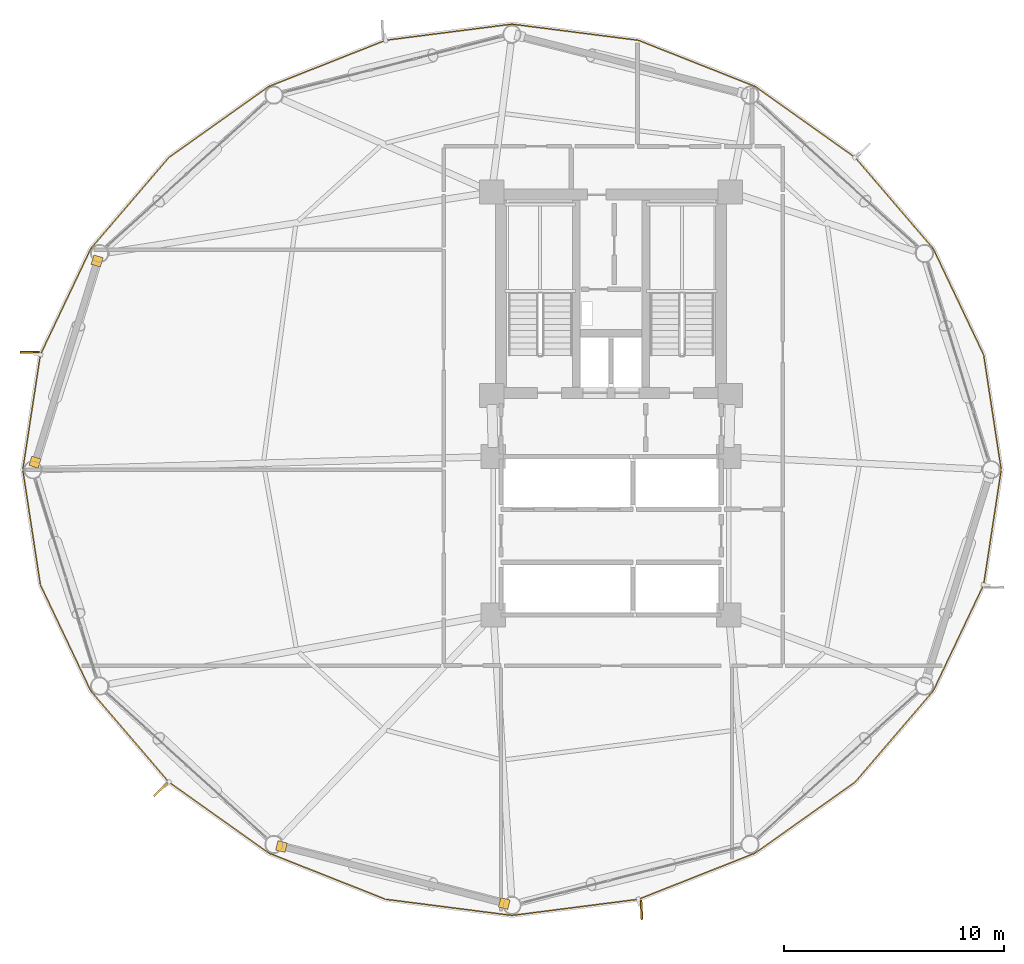
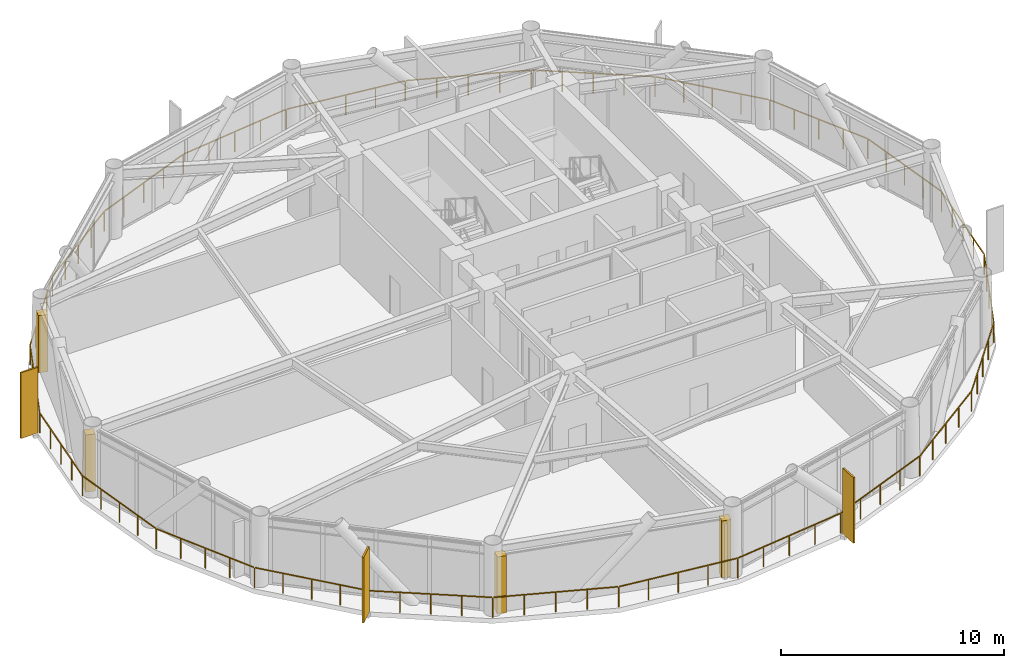
# One storey, part 23 of 25: 4 coverings, 3 shading devices, 1 railing.
"""IFC4 building model written with IfcOpenShell, lengths in metres."""

from ifc_helpers import new_model, si_unit, direction, frame, origin, origin_2d, place, context, subcontext, project, spatial, rectangle, extrude, source, transform, mapped, material, layer, layer_set, type_object, type_shapes, element, save


model = new_model("IFC4")

# Units and contexts
model_context = context("Model", 3, precision=1e-05, world=origin(), true_north=direction((0.0, 1.0)))
body_context = subcontext(model_context, "Body", "Model", "MODEL_VIEW")
ifc_project = project(units=[si_unit("LENGTHUNIT", "METRE"), si_unit("AREAUNIT", "SQUARE_METRE"), si_unit("VOLUMEUNIT", "CUBIC_METRE"), si_unit("PLANEANGLEUNIT", "RADIAN"), si_unit("MASSUNIT", "GRAM", prefix="KILO")], contexts=[model_context])

# Site, building, storey
site_placement = place(None, origin())
site = spatial("IfcSite", under=ifc_project, at=site_placement, CompositionType="ELEMENT")
building_placement = place(site_placement, origin())
building = spatial("IfcBuilding", under=site, at=building_placement, Name="Varnakorn Sky Granary", CompositionType="ELEMENT")
storey_placement = place(building_placement, frame((0.0, 0.0, 91.5)))
storey = spatial("IfcBuildingStorey", under=building, at=storey_placement, Name="L22", CompositionType="ELEMENT", Elevation=91.5)

# Railing
ifc_material = material(Name="Anodised Bronze Aluminium Alloy 6063-T6", Category="aluminium")
railing_type = type_object("IfcRailingType", Name="RL-BAL-1120", PredefinedType="BALUSTRADE", material=ifc_material)
railing_placement = place(storey_placement, frame((20.731689453125, 0.0, 0.0)))
element("IfcRailing", 1, at=railing_placement, inside=storey, type_object=railing_type, Name="Perimeter Slab-Edge Safety Guard L22", PredefinedType="BALUSTRADE", context=body_context, shape_type="SweptSolid", body=[
    extrude(rectangle(XDim=0.048095703125, YDim=0.048095703125, at=origin_2d()), frame((-0.004150390625, -0.027587890625, 1.09619140625), z_axis=(-0.151272943229, -0.988492031656, 0.0), x_axis=(0.988492031656, -0.151272943229, 0.0)), (0.0, 0.0, 1.0), 5.231201171875),
    extrude(rectangle(XDim=0.048095703125, YDim=0.048095703125, at=origin_2d()), frame((-0.811767578125, -5.251708984375, 1.09619140625), z_axis=(-0.428975741231, -0.90331600973, 0.0), x_axis=(0.90331600973, -0.428975741231, 0.0)), (0.0, 0.0, 1.0), 5.2880859375),
    extrude(rectangle(XDim=0.048095703125, YDim=0.048095703125, at=origin_2d()), frame((-3.110595703125, -10.074951171875, 1.09619140625), z_axis=(-0.650558743383, -0.759455937766, 0.0), x_axis=(0.759455937766, -0.650558743383, 0.0)), (0.0, 0.0, 1.0), 5.3896484375),
    extrude(rectangle(XDim=0.048095703125, YDim=0.048095703125, at=origin_2d()), frame((-6.65771484375, -14.20556640625, 1.09619140625), z_axis=(-0.815124375979, -0.579285984368, 0.0), x_axis=(0.579285984368, -0.815124375979, 0.0)), (0.0, 0.0, 1.0), 5.520751953125),
    extrude(rectangle(XDim=0.048095703125, YDim=0.048095703125, at=origin_2d()), frame((-11.206787109375, -17.43017578125, 1.09619140625), z_axis=(-0.930002892218, -0.367552201009, 0.0), x_axis=(0.367552201009, -0.930002892218, 0.0)), (0.0, 0.0, 1.0), 5.651123046875),
    extrude(rectangle(XDim=0.048095703125, YDim=0.048095703125, at=origin_2d()), frame((-16.51611328125, -19.521240234375, 1.09619140625), z_axis=(-0.991940197997, -0.126706920084, 0.0), x_axis=(0.126706920084, -0.991940197997, 0.0)), (0.0, 0.0, 1.0), 5.734130859375),
    extrude(rectangle(XDim=0.048095703125, YDim=0.048095703125, at=origin_2d()), frame((-22.259521484375, -20.24755859375, 1.09619140625), z_axis=(-0.991940197997, 0.126706920084, 0.0), x_axis=(-0.126706920084, -0.991940197997, 0.0)), (0.0, 0.0, 1.0), 5.734130859375),
    extrude(rectangle(XDim=0.048095703125, YDim=0.048095703125, at=origin_2d()), frame((-28.001220703125, -19.50732421875, 1.09619140625), z_axis=(-0.930002892218, 0.367552201009, 0.0), x_axis=(-0.367552201009, -0.930002892218, 0.0)), (0.0, 0.0, 1.0), 5.651123046875),
    extrude(rectangle(XDim=0.048095703125, YDim=0.048095703125, at=origin_2d()), frame((-33.305419921875, -17.40380859375, 1.09619140625), z_axis=(-0.815124375979, 0.579285984368, 0.0), x_axis=(-0.579285984368, -0.815124375979, 0.0)), (0.0, 0.0, 1.0), 5.520751953125),
    extrude(rectangle(XDim=0.048095703125, YDim=0.048095703125, at=origin_2d()), frame((-37.8466796875, -14.168212890625, 1.09619140625), z_axis=(-0.650558743383, 0.759455937766, 0.0), x_axis=(-0.759455937766, -0.650558743383, 0.0)), (0.0, 0.0, 1.0), 5.3896484375),
    extrude(rectangle(XDim=0.048095703125, YDim=0.048095703125, at=origin_2d()), frame((-41.383056640625, -10.0283203125, 1.09619140625), z_axis=(-0.428975741231, 0.90331600973, 0.0), x_axis=(-0.90331600973, -0.428975741231, 0.0)), (0.0, 0.0, 1.0), 5.2880859375),
    extrude(rectangle(XDim=0.048095703125, YDim=0.048095703125, at=origin_2d()), frame((-43.667724609375, -5.19873046875, 1.09619140625), z_axis=(-0.151272943229, 0.988492031656, 0.0), x_axis=(-0.988492031656, -0.151272943229, 0.0)), (0.0, 0.0, 1.0), 5.231201171875),
    extrude(rectangle(XDim=0.048095703125, YDim=0.048095703125, at=origin_2d()), frame((-44.459228515625, 0.027587890625, 1.09619140625), z_axis=(0.151272943229, 0.988492031656, 0.0), x_axis=(-0.988492031656, 0.151272943229, 0.0)), (0.0, 0.0, 1.0), 5.231201171875),
    extrude(rectangle(XDim=0.048095703125, YDim=0.048095703125, at=origin_2d()), frame((-43.651611328125, 5.251708984375, 1.09619140625), z_axis=(0.428975741231, 0.90331600973, 0.0), x_axis=(-0.90331600973, 0.428975741231, 0.0)), (0.0, 0.0, 1.0), 5.2880859375),
    extrude(rectangle(XDim=0.048095703125, YDim=0.048095703125, at=origin_2d()), frame((-41.352783203125, 10.074951171875, 1.09619140625), z_axis=(0.650558743383, 0.759455937766, 0.0), x_axis=(-0.759455937766, 0.650558743383, 0.0)), (0.0, 0.0, 1.0), 5.3896484375),
    extrude(rectangle(XDim=0.048095703125, YDim=0.048095703125, at=origin_2d()), frame((-37.8056640625, 14.20556640625, 1.09619140625), z_axis=(0.815124375979, 0.579285984368, 0.0), x_axis=(-0.579285984368, 0.815124375979, 0.0)), (0.0, 0.0, 1.0), 5.520751953125),
    extrude(rectangle(XDim=0.048095703125, YDim=0.048095703125, at=origin_2d()), frame((-33.256591796875, 17.43017578125, 1.09619140625), z_axis=(0.930002892218, 0.367552201009, 0.0), x_axis=(-0.367552201009, 0.930002892218, 0.0)), (0.0, 0.0, 1.0), 5.651123046875),
    extrude(rectangle(XDim=0.048095703125, YDim=0.048095703125, at=origin_2d()), frame((-27.947265625, 19.521240234375, 1.09619140625), z_axis=(0.991940197997, 0.126706920084, 0.0), x_axis=(-0.126706920084, 0.991940197997, 0.0)), (0.0, 0.0, 1.0), 5.734130859375),
    extrude(rectangle(XDim=0.048095703125, YDim=0.048095703125, at=origin_2d()), frame((-22.203857421875, 20.24755859375, 1.09619140625), z_axis=(0.991940197997, -0.126706920084, 0.0), x_axis=(0.126706920084, 0.991940197997, 0.0)), (0.0, 0.0, 1.0), 5.734130859375),
    extrude(rectangle(XDim=0.048095703125, YDim=0.048095703125, at=origin_2d()), frame((-16.462158203125, 19.50732421875, 1.09619140625), z_axis=(0.930002892218, -0.367552201009, 0.0), x_axis=(0.367552201009, 0.930002892218, 0.0)), (0.0, 0.0, 1.0), 5.651123046875),
    extrude(rectangle(XDim=0.048095703125, YDim=0.048095703125, at=origin_2d()), frame((-11.157958984375, 17.40380859375, 1.09619140625), z_axis=(0.815124375979, -0.579285984368, 0.0), x_axis=(0.579285984368, 0.815124375979, 0.0)), (0.0, 0.0, 1.0), 5.520751953125),
    extrude(rectangle(XDim=0.048095703125, YDim=0.048095703125, at=origin_2d()), frame((-6.61669921875, 14.168212890625, 1.09619140625), z_axis=(0.650558743383, -0.759455937766, 0.0), x_axis=(0.759455937766, 0.650558743383, 0.0)), (0.0, 0.0, 1.0), 5.3896484375),
    extrude(rectangle(XDim=0.048095703125, YDim=0.048095703125, at=origin_2d()), frame((-3.080322265625, 10.0283203125, 1.09619140625), z_axis=(0.428975741231, -0.90331600973, 0.0), x_axis=(0.90331600973, 0.428975741231, 0.0)), (0.0, 0.0, 1.0), 5.2880859375),
    extrude(rectangle(XDim=0.048095703125, YDim=0.048095703125, at=origin_2d()), frame((-0.795654296875, 5.19873046875, 1.09619140625), z_axis=(0.151272943229, -0.988492031656, 0.0), x_axis=(0.988492031656, 0.151272943229, 0.0)), (0.0, 0.0, 1.0), 5.231201171875),
    extrude(rectangle(XDim=0.0419921875, YDim=0.0419921875, at=origin_2d()), origin(), (0.0, 0.0, 1.0), 1.068115234375),
    extrude(rectangle(XDim=0.0419921875, YDim=0.0419921875, at=origin_2d()), frame((-0.199951171875, -1.306640625, 0.0)), (0.0, 0.0, 1.0), 1.068115234375),
    extrude(rectangle(XDim=0.0419921875, YDim=0.0419921875, at=origin_2d()), frame((-0.39990234375, -2.61328125, 0.0)), (0.0, 0.0, 1.0), 1.068115234375),
    extrude(rectangle(XDim=0.0419921875, YDim=0.0419921875, at=origin_2d()), frame((-0.599853515625, -3.919677734375, 0.0)), (0.0, 0.0, 1.0), 1.068115234375),
    extrude(rectangle(XDim=0.0419921875, YDim=0.0419921875, at=origin_2d()), frame((-0.7998046875, -5.226318359375, 0.0)), (0.0, 0.0, 1.0), 1.068115234375),
    extrude(rectangle(XDim=0.0419921875, YDim=0.0419921875, at=origin_2d()), frame((-1.373046875, -6.43310546875, 0.0)), (0.0, 0.0, 1.0), 1.068115234375),
    extrude(rectangle(XDim=0.0419921875, YDim=0.0419921875, at=origin_2d()), frame((-1.946044921875, -7.64013671875, 0.0)), (0.0, 0.0, 1.0), 1.068115234375),
    extrude(rectangle(XDim=0.0419921875, YDim=0.0419921875, at=origin_2d()), frame((-2.51904296875, -8.846923828125, 0.0)), (0.0, 0.0, 1.0), 1.068115234375),
    extrude(rectangle(XDim=0.0419921875, YDim=0.0419921875, at=origin_2d()), frame((-3.09228515625, -10.0537109375, 0.0)), (0.0, 0.0, 1.0), 1.068115234375),
    extrude(rectangle(XDim=0.0419921875, YDim=0.0419921875, at=origin_2d()), frame((-3.97802734375, -11.087646484375, 0.0)), (0.0, 0.0, 1.0), 1.068115234375),
    extrude(rectangle(XDim=0.0419921875, YDim=0.0419921875, at=origin_2d()), frame((-4.86376953125, -12.12158203125, 0.0)), (0.0, 0.0, 1.0), 1.068115234375),
    extrude(rectangle(XDim=0.0419921875, YDim=0.0419921875, at=origin_2d()), frame((-5.749267578125, -13.155517578125, 0.0)), (0.0, 0.0, 1.0), 1.068115234375),
    extrude(rectangle(XDim=0.0419921875, YDim=0.0419921875, at=origin_2d()), frame((-6.635009765625, -14.189453125, 0.0)), (0.0, 0.0, 1.0), 1.068115234375),
    extrude(rectangle(XDim=0.0419921875, YDim=0.0419921875, at=origin_2d()), frame((-7.771484375, -14.9970703125, 0.0)), (0.0, 0.0, 1.0), 1.068115234375),
    extrude(rectangle(XDim=0.0419921875, YDim=0.0419921875, at=origin_2d()), frame((-8.90771484375, -15.8046875, 0.0)), (0.0, 0.0, 1.0), 1.068115234375),
    extrude(rectangle(XDim=0.0419921875, YDim=0.0419921875, at=origin_2d()), frame((-10.044189453125, -16.6123046875, 0.0)), (0.0, 0.0, 1.0), 1.068115234375),
    extrude(rectangle(XDim=0.0419921875, YDim=0.0419921875, at=origin_2d()), frame((-11.1806640625, -17.419921875, 0.0)), (0.0, 0.0, 1.0), 1.068115234375),
    extrude(rectangle(XDim=0.0419921875, YDim=0.0419921875, at=origin_2d()), frame((-12.507568359375, -17.9443359375, 0.0)), (0.0, 0.0, 1.0), 1.068115234375),
    extrude(rectangle(XDim=0.0419921875, YDim=0.0419921875, at=origin_2d()), frame((-13.83447265625, -18.46875, 0.0)), (0.0, 0.0, 1.0), 1.068115234375),
    extrude(rectangle(XDim=0.0419921875, YDim=0.0419921875, at=origin_2d()), frame((-15.161376953125, -18.9931640625, 0.0)), (0.0, 0.0, 1.0), 1.068115234375),
    extrude(rectangle(XDim=0.0419921875, YDim=0.0419921875, at=origin_2d()), frame((-16.48828125, -19.517578125, 0.0)), (0.0, 0.0, 1.0), 1.068115234375),
    extrude(rectangle(XDim=0.0419921875, YDim=0.0419921875, at=origin_2d()), frame((-17.924072265625, -19.700927734375, 0.0)), (0.0, 0.0, 1.0), 1.068115234375),
    extrude(rectangle(XDim=0.0419921875, YDim=0.0419921875, at=origin_2d()), frame((-19.35986328125, -19.88427734375, 0.0)), (0.0, 0.0, 1.0), 1.068115234375),
    extrude(rectangle(XDim=0.0419921875, YDim=0.0419921875, at=origin_2d()), frame((-20.7958984375, -20.06787109375, 0.0)), (0.0, 0.0, 1.0), 1.068115234375),
    extrude(rectangle(XDim=0.0419921875, YDim=0.0419921875, at=origin_2d()), frame((-22.231689453125, -20.251220703125, 0.0)), (0.0, 0.0, 1.0), 1.068115234375),
    extrude(rectangle(XDim=0.0419921875, YDim=0.0419921875, at=origin_2d()), frame((-23.66748046875, -20.06787109375, 0.0)), (0.0, 0.0, 1.0), 1.068115234375),
    extrude(rectangle(XDim=0.0419921875, YDim=0.0419921875, at=origin_2d()), frame((-25.103515625, -19.88427734375, 0.0)), (0.0, 0.0, 1.0), 1.068115234375),
    extrude(rectangle(XDim=0.0419921875, YDim=0.0419921875, at=origin_2d()), frame((-26.539306640625, -19.700927734375, 0.0)), (0.0, 0.0, 1.0), 1.068115234375),
    extrude(rectangle(XDim=0.0419921875, YDim=0.0419921875, at=origin_2d()), frame((-27.97509765625, -19.517578125, 0.0)), (0.0, 0.0, 1.0), 1.068115234375),
    extrude(rectangle(XDim=0.0419921875, YDim=0.0419921875, at=origin_2d()), frame((-29.302001953125, -18.9931640625, 0.0)), (0.0, 0.0, 1.0), 1.068115234375),
    extrude(rectangle(XDim=0.0419921875, YDim=0.0419921875, at=origin_2d()), frame((-30.62890625, -18.46875, 0.0)), (0.0, 0.0, 1.0), 1.068115234375),
    extrude(rectangle(XDim=0.0419921875, YDim=0.0419921875, at=origin_2d()), frame((-31.955810546875, -17.9443359375, 0.0)), (0.0, 0.0, 1.0), 1.068115234375),
    extrude(rectangle(XDim=0.0419921875, YDim=0.0419921875, at=origin_2d()), frame((-33.28271484375, -17.419921875, 0.0)), (0.0, 0.0, 1.0), 1.068115234375),
    extrude(rectangle(XDim=0.0419921875, YDim=0.0419921875, at=origin_2d()), frame((-34.419189453125, -16.6123046875, 0.0)), (0.0, 0.0, 1.0), 1.068115234375),
    extrude(rectangle(XDim=0.0419921875, YDim=0.0419921875, at=origin_2d()), frame((-35.5556640625, -15.8046875, 0.0)), (0.0, 0.0, 1.0), 1.068115234375),
    extrude(rectangle(XDim=0.0419921875, YDim=0.0419921875, at=origin_2d()), frame((-36.69189453125, -14.9970703125, 0.0)), (0.0, 0.0, 1.0), 1.068115234375),
    extrude(rectangle(XDim=0.0419921875, YDim=0.0419921875, at=origin_2d()), frame((-37.828369140625, -14.189453125, 0.0)), (0.0, 0.0, 1.0), 1.068115234375),
    extrude(rectangle(XDim=0.0419921875, YDim=0.0419921875, at=origin_2d()), frame((-38.714111328125, -13.155517578125, 0.0)), (0.0, 0.0, 1.0), 1.068115234375),
    extrude(rectangle(XDim=0.0419921875, YDim=0.0419921875, at=origin_2d()), frame((-39.599609375, -12.12158203125, 0.0)), (0.0, 0.0, 1.0), 1.068115234375),
    extrude(rectangle(XDim=0.0419921875, YDim=0.0419921875, at=origin_2d()), frame((-40.4853515625, -11.087646484375, 0.0)), (0.0, 0.0, 1.0), 1.068115234375),
    extrude(rectangle(XDim=0.0419921875, YDim=0.0419921875, at=origin_2d()), frame((-41.37109375, -10.0537109375, 0.0)), (0.0, 0.0, 1.0), 1.068115234375),
    extrude(rectangle(XDim=0.0419921875, YDim=0.0419921875, at=origin_2d()), frame((-41.9443359375, -8.846923828125, 0.0)), (0.0, 0.0, 1.0), 1.068115234375),
    extrude(rectangle(XDim=0.0419921875, YDim=0.0419921875, at=origin_2d()), frame((-42.517333984375, -7.64013671875, 0.0)), (0.0, 0.0, 1.0), 1.068115234375),
    extrude(rectangle(XDim=0.0419921875, YDim=0.0419921875, at=origin_2d()), frame((-43.09033203125, -6.43310546875, 0.0)), (0.0, 0.0, 1.0), 1.068115234375),
    extrude(rectangle(XDim=0.0419921875, YDim=0.0419921875, at=origin_2d()), frame((-43.66357421875, -5.226318359375, 0.0)), (0.0, 0.0, 1.0), 1.068115234375),
    extrude(rectangle(XDim=0.0419921875, YDim=0.0419921875, at=origin_2d()), frame((-43.863525390625, -3.919677734375, 0.0)), (0.0, 0.0, 1.0), 1.068115234375),
    extrude(rectangle(XDim=0.0419921875, YDim=0.0419921875, at=origin_2d()), frame((-44.0634765625, -2.61328125, 0.0)), (0.0, 0.0, 1.0), 1.068115234375),
    extrude(rectangle(XDim=0.0419921875, YDim=0.0419921875, at=origin_2d()), frame((-44.263427734375, -1.306640625, 0.0)), (0.0, 0.0, 1.0), 1.068115234375),
    extrude(rectangle(XDim=0.0419921875, YDim=0.0419921875, at=origin_2d()), frame((-44.46337890625, 0.0, 0.0)), (0.0, 0.0, 1.0), 1.068115234375),
    extrude(rectangle(XDim=0.0419921875, YDim=0.0419921875, at=origin_2d()), frame((-44.263427734375, 1.306640625, 0.0)), (0.0, 0.0, 1.0), 1.068115234375),
    extrude(rectangle(XDim=0.0419921875, YDim=0.0419921875, at=origin_2d()), frame((-44.0634765625, 2.61328125, 0.0)), (0.0, 0.0, 1.0), 1.068115234375),
    extrude(rectangle(XDim=0.0419921875, YDim=0.0419921875, at=origin_2d()), frame((-43.863525390625, 3.919677734375, 0.0)), (0.0, 0.0, 1.0), 1.068115234375),
    extrude(rectangle(XDim=0.0419921875, YDim=0.0419921875, at=origin_2d()), frame((-43.66357421875, 5.226318359375, 0.0)), (0.0, 0.0, 1.0), 1.068115234375),
    extrude(rectangle(XDim=0.0419921875, YDim=0.0419921875, at=origin_2d()), frame((-43.09033203125, 6.43310546875, 0.0)), (0.0, 0.0, 1.0), 1.068115234375),
    extrude(rectangle(XDim=0.0419921875, YDim=0.0419921875, at=origin_2d()), frame((-42.517333984375, 7.64013671875, 0.0)), (0.0, 0.0, 1.0), 1.068115234375),
    extrude(rectangle(XDim=0.0419921875, YDim=0.0419921875, at=origin_2d()), frame((-41.9443359375, 8.846923828125, 0.0)), (0.0, 0.0, 1.0), 1.068115234375),
    extrude(rectangle(XDim=0.0419921875, YDim=0.0419921875, at=origin_2d()), frame((-41.37109375, 10.0537109375, 0.0)), (0.0, 0.0, 1.0), 1.068115234375),
    extrude(rectangle(XDim=0.0419921875, YDim=0.0419921875, at=origin_2d()), frame((-40.4853515625, 11.087646484375, 0.0)), (0.0, 0.0, 1.0), 1.068115234375),
    extrude(rectangle(XDim=0.0419921875, YDim=0.0419921875, at=origin_2d()), frame((-39.599609375, 12.12158203125, 0.0)), (0.0, 0.0, 1.0), 1.068115234375),
    extrude(rectangle(XDim=0.0419921875, YDim=0.0419921875, at=origin_2d()), frame((-38.714111328125, 13.155517578125, 0.0)), (0.0, 0.0, 1.0), 1.068115234375),
    extrude(rectangle(XDim=0.0419921875, YDim=0.0419921875, at=origin_2d()), frame((-37.828369140625, 14.189453125, 0.0)), (0.0, 0.0, 1.0), 1.068115234375),
    extrude(rectangle(XDim=0.0419921875, YDim=0.0419921875, at=origin_2d()), frame((-36.69189453125, 14.9970703125, 0.0)), (0.0, 0.0, 1.0), 1.068115234375),
    extrude(rectangle(XDim=0.0419921875, YDim=0.0419921875, at=origin_2d()), frame((-35.5556640625, 15.8046875, 0.0)), (0.0, 0.0, 1.0), 1.068115234375),
    extrude(rectangle(XDim=0.0419921875, YDim=0.0419921875, at=origin_2d()), frame((-34.419189453125, 16.6123046875, 0.0)), (0.0, 0.0, 1.0), 1.068115234375),
    extrude(rectangle(XDim=0.0419921875, YDim=0.0419921875, at=origin_2d()), frame((-33.28271484375, 17.419921875, 0.0)), (0.0, 0.0, 1.0), 1.068115234375),
    extrude(rectangle(XDim=0.0419921875, YDim=0.0419921875, at=origin_2d()), frame((-31.955810546875, 17.9443359375, 0.0)), (0.0, 0.0, 1.0), 1.068115234375),
    extrude(rectangle(XDim=0.0419921875, YDim=0.0419921875, at=origin_2d()), frame((-30.62890625, 18.46875, 0.0)), (0.0, 0.0, 1.0), 1.068115234375),
    extrude(rectangle(XDim=0.0419921875, YDim=0.0419921875, at=origin_2d()), frame((-29.302001953125, 18.9931640625, 0.0)), (0.0, 0.0, 1.0), 1.068115234375),
    extrude(rectangle(XDim=0.0419921875, YDim=0.0419921875, at=origin_2d()), frame((-27.97509765625, 19.517578125, 0.0)), (0.0, 0.0, 1.0), 1.068115234375),
    extrude(rectangle(XDim=0.0419921875, YDim=0.0419921875, at=origin_2d()), frame((-26.539306640625, 19.700927734375, 0.0)), (0.0, 0.0, 1.0), 1.068115234375),
    extrude(rectangle(XDim=0.0419921875, YDim=0.0419921875, at=origin_2d()), frame((-25.103515625, 19.88427734375, 0.0)), (0.0, 0.0, 1.0), 1.068115234375),
    extrude(rectangle(XDim=0.0419921875, YDim=0.0419921875, at=origin_2d()), frame((-23.66748046875, 20.06787109375, 0.0)), (0.0, 0.0, 1.0), 1.068115234375),
    extrude(rectangle(XDim=0.0419921875, YDim=0.0419921875, at=origin_2d()), frame((-22.231689453125, 20.251220703125, 0.0)), (0.0, 0.0, 1.0), 1.068115234375),
    extrude(rectangle(XDim=0.0419921875, YDim=0.0419921875, at=origin_2d()), frame((-20.7958984375, 20.06787109375, 0.0)), (0.0, 0.0, 1.0), 1.068115234375),
    extrude(rectangle(XDim=0.0419921875, YDim=0.0419921875, at=origin_2d()), frame((-19.35986328125, 19.88427734375, 0.0)), (0.0, 0.0, 1.0), 1.068115234375),
    extrude(rectangle(XDim=0.0419921875, YDim=0.0419921875, at=origin_2d()), frame((-17.924072265625, 19.700927734375, 0.0)), (0.0, 0.0, 1.0), 1.068115234375),
    extrude(rectangle(XDim=0.0419921875, YDim=0.0419921875, at=origin_2d()), frame((-16.48828125, 19.517578125, 0.0)), (0.0, 0.0, 1.0), 1.068115234375),
    extrude(rectangle(XDim=0.0419921875, YDim=0.0419921875, at=origin_2d()), frame((-15.161376953125, 18.9931640625, 0.0)), (0.0, 0.0, 1.0), 1.068115234375),
    extrude(rectangle(XDim=0.0419921875, YDim=0.0419921875, at=origin_2d()), frame((-13.83447265625, 18.46875, 0.0)), (0.0, 0.0, 1.0), 1.068115234375),
    extrude(rectangle(XDim=0.0419921875, YDim=0.0419921875, at=origin_2d()), frame((-12.507568359375, 17.9443359375, 0.0)), (0.0, 0.0, 1.0), 1.068115234375),
    extrude(rectangle(XDim=0.0419921875, YDim=0.0419921875, at=origin_2d()), frame((-11.1806640625, 17.419921875, 0.0)), (0.0, 0.0, 1.0), 1.068115234375),
    extrude(rectangle(XDim=0.0419921875, YDim=0.0419921875, at=origin_2d()), frame((-10.044189453125, 16.6123046875, 0.0)), (0.0, 0.0, 1.0), 1.068115234375),
    extrude(rectangle(XDim=0.0419921875, YDim=0.0419921875, at=origin_2d()), frame((-8.90771484375, 15.8046875, 0.0)), (0.0, 0.0, 1.0), 1.068115234375),
    extrude(rectangle(XDim=0.0419921875, YDim=0.0419921875, at=origin_2d()), frame((-7.771484375, 14.9970703125, 0.0)), (0.0, 0.0, 1.0), 1.068115234375),
    extrude(rectangle(XDim=0.0419921875, YDim=0.0419921875, at=origin_2d()), frame((-6.635009765625, 14.189453125, 0.0)), (0.0, 0.0, 1.0), 1.068115234375),
    extrude(rectangle(XDim=0.0419921875, YDim=0.0419921875, at=origin_2d()), frame((-5.749267578125, 13.155517578125, 0.0)), (0.0, 0.0, 1.0), 1.068115234375),
    extrude(rectangle(XDim=0.0419921875, YDim=0.0419921875, at=origin_2d()), frame((-4.86376953125, 12.12158203125, 0.0)), (0.0, 0.0, 1.0), 1.068115234375),
    extrude(rectangle(XDim=0.0419921875, YDim=0.0419921875, at=origin_2d()), frame((-3.97802734375, 11.087646484375, 0.0)), (0.0, 0.0, 1.0), 1.068115234375),
    extrude(rectangle(XDim=0.0419921875, YDim=0.0419921875, at=origin_2d()), frame((-3.09228515625, 10.0537109375, 0.0)), (0.0, 0.0, 1.0), 1.068115234375),
    extrude(rectangle(XDim=0.0419921875, YDim=0.0419921875, at=origin_2d()), frame((-2.51904296875, 8.846923828125, 0.0)), (0.0, 0.0, 1.0), 1.068115234375),
    extrude(rectangle(XDim=0.0419921875, YDim=0.0419921875, at=origin_2d()), frame((-1.946044921875, 7.64013671875, 0.0)), (0.0, 0.0, 1.0), 1.068115234375),
    extrude(rectangle(XDim=0.0419921875, YDim=0.0419921875, at=origin_2d()), frame((-1.373046875, 6.43310546875, 0.0)), (0.0, 0.0, 1.0), 1.068115234375),
    extrude(rectangle(XDim=0.0419921875, YDim=0.0419921875, at=origin_2d()), frame((-0.7998046875, 5.226318359375, 0.0)), (0.0, 0.0, 1.0), 1.068115234375),
    extrude(rectangle(XDim=0.0419921875, YDim=0.0419921875, at=origin_2d()), frame((-0.599853515625, 3.919677734375, 0.0)), (0.0, 0.0, 1.0), 1.068115234375),
    extrude(rectangle(XDim=0.0419921875, YDim=0.0419921875, at=origin_2d()), frame((-0.39990234375, 2.61328125, 0.0)), (0.0, 0.0, 1.0), 1.068115234375),
    extrude(rectangle(XDim=0.0419921875, YDim=0.0419921875, at=origin_2d()), frame((-0.199951171875, 1.306640625, 0.0)), (0.0, 0.0, 1.0), 1.068115234375),
])

# Shading devices
shading_device_type = type_object("IfcShadingDeviceType", Name="SH-FIN-01", PredefinedType="USERDEFINED", material=ifc_material)
shared_shape_1 = source(origin(), body_context, "Body", "SweptSolid", [
    extrude(rectangle(XDim=0.0849609375, YDim=0.8798828125, at=origin_2d()), origin(), (0.0, 0.0, 1.0), 3.60009765625),
])
type_shapes(shading_device_type, [shared_shape_1])
for number, where, z_axis, x_axis, name in (
    (2, (-23.417724609375, 5.34814453125, -0.0400390625), (0.0, 0.0, 1.0), (0.008539164823, -0.999963540667, 0.0), "Bronze Solar-Tracking Vertical Blade FIN L22-06"),
    (3, (-17.46435546875, -14.52880859375, -0.0400390625), (0.0, 0.0, 1.0), (0.692243105776, -0.721664383564, 0.0), "Bronze Solar-Tracking Vertical Blade FIN L22-08"),
    (4, (4.38427734375, -19.998046875, -0.0400390625), (0.0, 0.0, 1.0), (0.99867840506, 0.051394973167, 0.0), "Bronze Solar-Tracking Vertical Blade FIN L22-10"),
):
    element("IfcShadingDevice", number, at=place(storey_placement, frame(where, z_axis=z_axis, x_axis=x_axis)), inside=storey, type_object=shading_device_type, Name=name, ObjectType="FIN", PredefinedType="USERDEFINED", context=body_context, shape_type="MappedRepresentation", body=[
        mapped(shared_shape_1, transform((0.0, 0.0, 0.0), x_axis=(1.0, 0.0, 0.0), y_axis=(0.0, 1.0, 0.0), z_axis=(0.0, 0.0, 1.0), scale=1.0)),
    ])

# Coverings
ifc_layer = layer(ifc_material, 0.050048828125, Name="Anodised Bronze Aluminium Alloy 6063-T6")
ifc_layer_set = layer_set([ifc_layer], Name="Anodised Bronze Aluminium Alloy 6063-T6")
covering_type = type_object("IfcCoveringType", Name="CV-CLAD-50", PredefinedType="CLADDING", material=ifc_layer_set)
shared_shape_2 = source(origin(), body_context, "Body", "SweptSolid", [
    extrude(rectangle(XDim=0.43994140625, YDim=0.43994140625, at=origin_2d()), origin(), (0.0, 0.0, 1.0), 3.1298828125),
])
type_shapes(covering_type, [shared_shape_2])
for number, where, z_axis, x_axis, name in (
    (5, (-23.176513671875, 0.345458984375, -0.02001953125), (0.0, 0.0, 1.0), (0.294874299918, 0.955536052301, 0.0), "Bronze Corner Pilaster Closure L22-P06-A"),
    (6, (-20.354248046875, 9.488037109375, -0.02001953125), (0.0, 0.0, 1.0), (0.294874299918, 0.955536052301, 0.0), "Bronze Corner Pilaster Closure L22-P06-B"),
    (7, (-1.85009765625, -19.71240234375, -0.02001953125), (0.0, 0.0, 1.0), (-0.968799815159, 0.247844544316, 0.0), "Bronze Corner Pilaster Closure L22-P09-A"),
    (8, (-11.973876953125, -17.12158203125, -0.02001953125), (0.0, 0.0, 1.0), (-0.968799815159, 0.247844544316, 0.0), "Bronze Corner Pilaster Closure L22-P09-B"),
):
    element("IfcCovering", number, at=place(storey_placement, frame(where, z_axis=z_axis, x_axis=x_axis)), inside=storey, type_object=covering_type, Name=name, PredefinedType="CLADDING", context=body_context, shape_type="MappedRepresentation", body=[
        mapped(shared_shape_2, transform((0.0, 0.0, 0.0), x_axis=(1.0, 0.0, 0.0), y_axis=(0.0, 1.0, 0.0), z_axis=(0.0, 0.0, 1.0), scale=1.0)),
    ])

save(model, "model.ifc")
